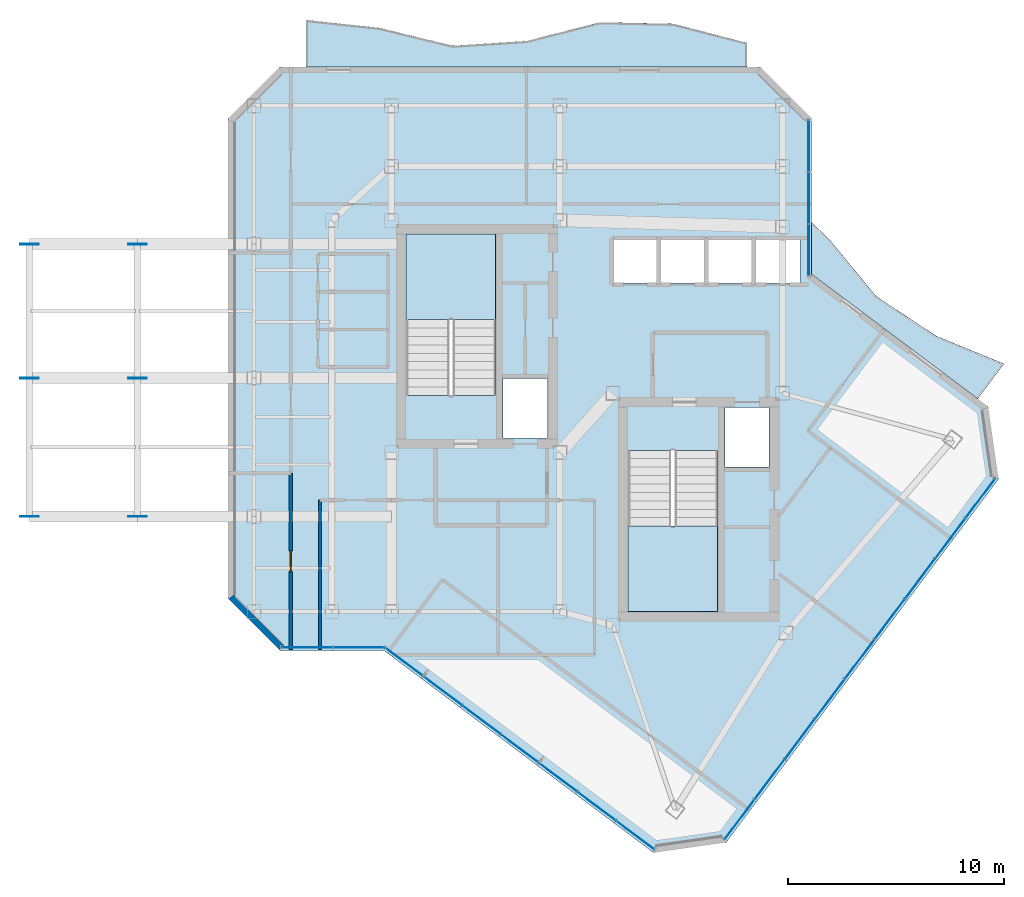
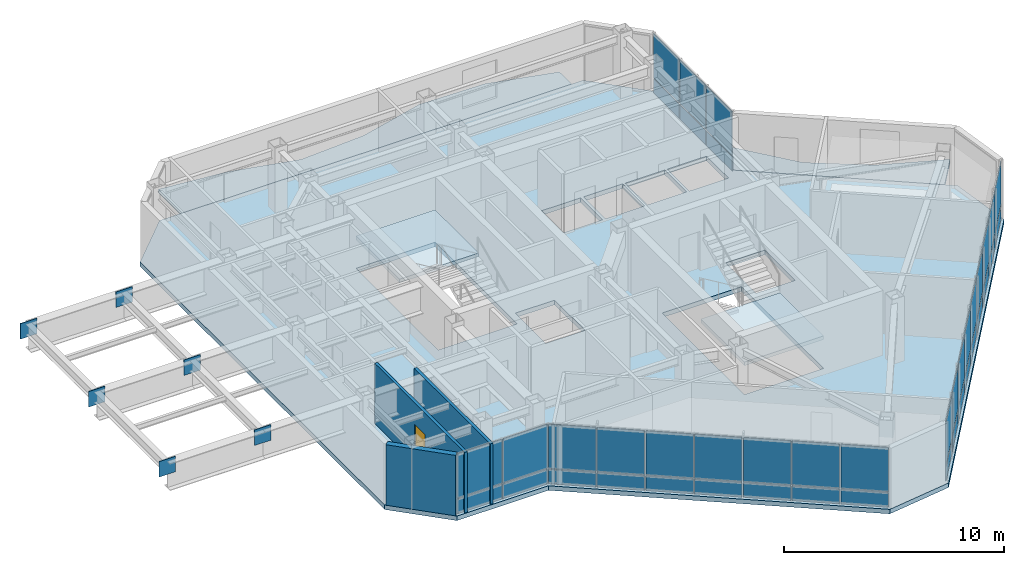
# One storey, part 11 of 17: 48 plates, 5 slabs, 3 walls, 1 door, 1 opening, 6 elements without a shape of their own.
"""IFC4 building model written with IfcOpenShell, lengths in metres."""

from ifc_helpers import new_model, si_unit, direction, frame, frame_2d, origin, origin_2d, place, context, subcontext, project, spatial, polyline, rectangle, outline, extrude, material, layer, layer_set, type_object, element, fill, aggregate, save


model = new_model("IFC4")

# Units and contexts
model_context = context("Model", 3, precision=1e-05, world=origin(), true_north=direction((0.0, 1.0)))
body_context = subcontext(model_context, "Body", "Model", "MODEL_VIEW")
ifc_project = project(units=[si_unit("LENGTHUNIT", "METRE"), si_unit("AREAUNIT", "SQUARE_METRE"), si_unit("VOLUMEUNIT", "CUBIC_METRE"), si_unit("PLANEANGLEUNIT", "RADIAN"), si_unit("MASSUNIT", "GRAM", prefix="KILO")], contexts=[model_context])

# Site, building, storey
site_placement = place(None, origin())
site = spatial("IfcSite", under=ifc_project, at=site_placement, CompositionType="ELEMENT")
building_placement = place(site_placement, origin())
building = spatial("IfcBuilding", under=site, at=building_placement, Name="Hatsunagi Terrace Concourse", CompositionType="ELEMENT")
storey_placement = place(building_placement, frame((0.0, 0.0, 253.949951171875)))
storey = spatial("IfcBuildingStorey", under=building, at=storey_placement, Name="L67", CompositionType="ELEMENT", Elevation=253.949951171875)

# Curtain wall, plates
ifc_material_1 = material(Name="Anodised Aluminium Alloy 6063-T5", Category="aluminium")
ifc_layer_1 = layer(ifc_material_1, 0.199951171875)
ifc_layer_set_1 = layer_set([ifc_layer_1], Name="SkyLobbyAtrium_CW05")
curtain_wall_type = type_object("IfcCurtainWallType", Name="SkyLobbyAtrium_CW05", PredefinedType="NOTDEFINED", material=ifc_layer_set_1)
curtain_wall_1_placement = place(storey_placement, origin())
curtain_wall_1 = element("IfcCurtainWall", 1, at=curtain_wall_1_placement, inside=storey, type_object=curtain_wall_type, Name="Unitised Curtain Wall CW-05 CW-L67-03", PredefinedType="NOTDEFINED")
ifc_material_2 = material(Name="Warm Terracotta Ceramic Spandrel Panel", Category="masonry")
ifc_layer_2 = layer(ifc_material_2, 0.031982421875)
ifc_layer_set_2 = layer_set([ifc_layer_2], Name="CurtainWallSpandrelPanel_32")
plate_type_1 = type_object("IfcPlateType", Name="CurtainWallSpandrelPanel_32", PredefinedType="SHEET", material=ifc_layer_set_2)
plate_1_placement = place(storey_placement, frame((52.797119140625, 30.429931640625, 0.030029296875), z_axis=(0.0, 0.0, 1.0), x_axis=(-0.599969314634, -0.800023013105, 0.0)))
plate_1 = element("IfcPlate", 2, at=plate_1_placement, type_object=plate_type_1, Name="Terracotta Spandrel Panel SPN-01", PredefinedType="SHEET", context=body_context, shape_type="SweptSolid", body=[
    extrude(rectangle(XDim=2.264892578125, YDim=0.031982421875, at=origin_2d()), origin(), (0.0, 0.0, 1.0), 0.7900390625),
])
plate_2_placement = place(storey_placement, frame((51.405029296875, 28.572998046875, 0.030029296875), z_axis=(0.0, 0.0, 1.0), x_axis=(-0.599969314634, -0.800023013105, 0.0)))
plate_2 = element("IfcPlate", 3, at=plate_2_placement, type_object=plate_type_1, Name="Terracotta Spandrel Panel SPN-01", PredefinedType="SHEET", context=body_context, shape_type="SweptSolid", body=[
    extrude(rectangle(XDim=2.264892578125, YDim=0.031982421875, at=origin_2d()), origin(), (0.0, 0.0, 1.0), 0.7900390625),
])
plate_3_placement = place(storey_placement, frame((50.011962890625, 26.717041015625, 0.030029296875), z_axis=(0.0, 0.0, 1.0), x_axis=(-0.599969314634, -0.800023013105, 0.0)))
plate_3 = element("IfcPlate", 4, at=plate_3_placement, type_object=plate_type_1, Name="Terracotta Spandrel Panel SPN-01", PredefinedType="SHEET", context=body_context, shape_type="SweptSolid", body=[
    extrude(rectangle(XDim=2.264892578125, YDim=0.031982421875, at=origin_2d()), origin(), (0.0, 0.0, 1.0), 0.7900390625),
])
plate_4_placement = place(storey_placement, frame((48.6201171875, 24.860107421875, 0.030029296875), z_axis=(0.0, 0.0, 1.0), x_axis=(-0.599969314634, -0.800023013105, 0.0)))
plate_4 = element("IfcPlate", 5, at=plate_4_placement, type_object=plate_type_1, Name="Terracotta Spandrel Panel SPN-01", PredefinedType="SHEET", context=body_context, shape_type="SweptSolid", body=[
    extrude(rectangle(XDim=2.264892578125, YDim=0.031982421875, at=origin_2d()), origin(), (0.0, 0.0, 1.0), 0.7900390625),
])
plate_5_placement = place(storey_placement, frame((47.22802734375, 23.00390625, 0.030029296875), z_axis=(0.0, 0.0, 1.0), x_axis=(-0.599969314634, -0.800023013105, 0.0)))
plate_5 = element("IfcPlate", 6, at=plate_5_placement, type_object=plate_type_1, Name="Terracotta Spandrel Panel SPN-01", PredefinedType="SHEET", context=body_context, shape_type="SweptSolid", body=[
    extrude(rectangle(XDim=2.264892578125, YDim=0.031982421875, at=origin_2d()), origin(), (0.0, 0.0, 1.0), 0.7900390625),
])
plate_6_placement = place(storey_placement, frame((45.8359375, 21.14794921875, 0.030029296875), z_axis=(0.0, 0.0, 1.0), x_axis=(-0.599969314634, -0.800023013105, 0.0)))
plate_6 = element("IfcPlate", 7, at=plate_6_placement, type_object=plate_type_1, Name="Terracotta Spandrel Panel SPN-01", PredefinedType="SHEET", context=body_context, shape_type="SweptSolid", body=[
    extrude(rectangle(XDim=2.264892578125, YDim=0.031982421875, at=origin_2d()), origin(), (0.0, 0.0, 1.0), 0.7900390625),
])
plate_7_placement = place(storey_placement, frame((44.444091796875, 19.291015625, 0.030029296875), z_axis=(0.0, 0.0, 1.0), x_axis=(-0.599969314634, -0.800023013105, 0.0)))
plate_7 = element("IfcPlate", 8, at=plate_7_placement, type_object=plate_type_1, Name="Terracotta Spandrel Panel SPN-01", PredefinedType="SHEET", context=body_context, shape_type="SweptSolid", body=[
    extrude(rectangle(XDim=2.264892578125, YDim=0.031982421875, at=origin_2d()), origin(), (0.0, 0.0, 1.0), 0.7900390625),
])
plate_8_placement = place(storey_placement, frame((43.051025390625, 17.43505859375, 0.030029296875), z_axis=(0.0, 0.0, 1.0), x_axis=(-0.599969314634, -0.800023013105, 0.0)))
plate_8 = element("IfcPlate", 9, at=plate_8_placement, type_object=plate_type_1, Name="Terracotta Spandrel Panel SPN-01", PredefinedType="SHEET", context=body_context, shape_type="SweptSolid", body=[
    extrude(rectangle(XDim=2.264892578125, YDim=0.031982421875, at=origin_2d()), origin(), (0.0, 0.0, 1.0), 0.7900390625),
])
plate_9_placement = place(storey_placement, frame((41.658935546875, 15.577880859375, 0.030029296875), z_axis=(0.0, 0.0, 1.0), x_axis=(-0.599969314634, -0.800023013105, 0.0)))
plate_9 = element("IfcPlate", 10, at=plate_9_placement, type_object=plate_type_1, Name="Terracotta Spandrel Panel SPN-01", PredefinedType="SHEET", context=body_context, shape_type="SweptSolid", body=[
    extrude(rectangle(XDim=2.264892578125, YDim=0.031982421875, at=origin_2d()), origin(), (0.0, 0.0, 1.0), 0.7900390625),
])

curtain_wall_2_placement = place(storey_placement, origin())
curtain_wall_2 = element("IfcCurtainWall", 11, at=curtain_wall_2_placement, inside=storey, type_object=curtain_wall_type, Name="Unitised Curtain Wall CW-05 CW-L67-05", PredefinedType="NOTDEFINED")
plate_10_placement = place(storey_placement, frame((36.826904296875, 14.85498046875, 0.030029296875), z_axis=(0.0, 0.0, 1.0), x_axis=(-0.800007305671, 0.599990258982, 0.0)))
plate_10 = element("IfcPlate", 12, at=plate_10_placement, type_object=plate_type_1, Name="Terracotta Spandrel Panel SPN-01", PredefinedType="SHEET", context=body_context, shape_type="SweptSolid", body=[
    extrude(rectangle(XDim=2.172119140625, YDim=0.031982421875, at=origin_2d()), origin(), (0.0, 0.0, 1.0), 0.7900390625),
])
plate_11_placement = place(storey_placement, frame((35.0458984375, 16.19091796875, 0.030029296875), z_axis=(0.0, 0.0, 1.0), x_axis=(-0.800007305671, 0.599990258982, 0.0)))
plate_11 = element("IfcPlate", 13, at=plate_11_placement, type_object=plate_type_1, Name="Terracotta Spandrel Panel SPN-01", PredefinedType="SHEET", context=body_context, shape_type="SweptSolid", body=[
    extrude(rectangle(XDim=2.172119140625, YDim=0.031982421875, at=origin_2d()), origin(), (0.0, 0.0, 1.0), 0.7900390625),
])
plate_12_placement = place(storey_placement, frame((33.263916015625, 17.527099609375, 0.030029296875), z_axis=(0.0, 0.0, 1.0), x_axis=(-0.800007305671, 0.599990258982, 0.0)))
plate_12 = element("IfcPlate", 14, at=plate_12_placement, type_object=plate_type_1, Name="Terracotta Spandrel Panel SPN-01", PredefinedType="SHEET", context=body_context, shape_type="SweptSolid", body=[
    extrude(rectangle(XDim=2.172119140625, YDim=0.031982421875, at=origin_2d()), origin(), (0.0, 0.0, 1.0), 0.7900390625),
])
plate_13_placement = place(storey_placement, frame((31.48291015625, 18.863037109375, 0.030029296875), z_axis=(0.0, 0.0, 1.0), x_axis=(-0.800007305671, 0.599990258982, 0.0)))
plate_13 = element("IfcPlate", 15, at=plate_13_placement, type_object=plate_type_1, Name="Terracotta Spandrel Panel SPN-01", PredefinedType="SHEET", context=body_context, shape_type="SweptSolid", body=[
    extrude(rectangle(XDim=2.172119140625, YDim=0.031982421875, at=origin_2d()), origin(), (0.0, 0.0, 1.0), 0.7900390625),
])
plate_14_placement = place(storey_placement, frame((29.700927734375, 20.199951171875, 0.030029296875), z_axis=(0.0, 0.0, 1.0), x_axis=(-0.800007305671, 0.599990258982, 0.0)))
plate_14 = element("IfcPlate", 16, at=plate_14_placement, type_object=plate_type_1, Name="Terracotta Spandrel Panel SPN-01", PredefinedType="SHEET", context=body_context, shape_type="SweptSolid", body=[
    extrude(rectangle(XDim=2.172119140625, YDim=0.031982421875, at=origin_2d()), origin(), (0.0, 0.0, 1.0), 0.7900390625),
])
plate_15_placement = place(storey_placement, frame((27.9189453125, 21.535888671875, 0.030029296875), z_axis=(0.0, 0.0, 1.0), x_axis=(-0.800007305671, 0.599990258982, 0.0)))
plate_15 = element("IfcPlate", 17, at=plate_15_placement, type_object=plate_type_1, Name="Terracotta Spandrel Panel SPN-01", PredefinedType="SHEET", context=body_context, shape_type="SweptSolid", body=[
    extrude(rectangle(XDim=2.172119140625, YDim=0.031982421875, at=origin_2d()), origin(), (0.0, 0.0, 1.0), 0.7900390625),
])
plate_16_placement = place(storey_placement, frame((26.137939453125, 22.8720703125, 0.030029296875), z_axis=(0.0, 0.0, 1.0), x_axis=(-0.800007305671, 0.599990258982, 0.0)))
plate_16 = element("IfcPlate", 18, at=plate_16_placement, type_object=plate_type_1, Name="Terracotta Spandrel Panel SPN-01", PredefinedType="SHEET", context=body_context, shape_type="SweptSolid", body=[
    extrude(rectangle(XDim=2.172119140625, YDim=0.031982421875, at=origin_2d()), origin(), (0.0, 0.0, 1.0), 0.7900390625),
])

curtain_wall_3_placement = place(storey_placement, origin())
curtain_wall_3 = element("IfcCurtainWall", 19, at=curtain_wall_3_placement, inside=storey, type_object=curtain_wall_type, Name="Unitised Curtain Wall CW-05 CW-L67-06", PredefinedType="NOTDEFINED")
plate_17_placement = place(storey_placement, frame((24.050048828125, 23.5400390625, 0.030029296875), z_axis=(0.0, 0.0, 1.0), x_axis=(-1.0, 0.0, 0.0)))
plate_17 = element("IfcPlate", 20, at=plate_17_placement, type_object=plate_type_1, Name="Terracotta Spandrel Panel SPN-01", PredefinedType="SHEET", context=body_context, shape_type="SweptSolid", body=[
    extrude(rectangle(XDim=2.340087890625, YDim=0.031982421875, at=origin_2d()), origin(), (0.0, 0.0, 1.0), 0.7900390625),
])
plate_18_placement = place(storey_placement, frame((21.655029296875, 23.5400390625, 0.030029296875), z_axis=(0.0, 0.0, 1.0), x_axis=(-1.0, 0.0, 0.0)))
plate_18 = element("IfcPlate", 21, at=plate_18_placement, type_object=plate_type_1, Name="Terracotta Spandrel Panel SPN-01", PredefinedType="SHEET", context=body_context, shape_type="SweptSolid", body=[
    extrude(rectangle(XDim=2.340087890625, YDim=0.031982421875, at=origin_2d()), origin(), (0.0, 0.0, 1.0), 0.7900390625),
])

curtain_wall_4_placement = place(storey_placement, origin())
curtain_wall_4 = element("IfcCurtainWall", 22, at=curtain_wall_4_placement, inside=storey, type_object=curtain_wall_type, Name="Unitised Curtain Wall CW-05 CW-L67-12", PredefinedType="NOTDEFINED")
plate_19_placement = place(storey_placement, frame((44.860107421875, 46.739990234375, 0.030029296875), z_axis=(0.0, 0.0, 1.0), x_axis=(0.0, -1.0, 0.0)))
plate_19 = element("IfcPlate", 23, at=plate_19_placement, type_object=plate_type_1, Name="Terracotta Spandrel Panel SPN-01", PredefinedType="SHEET", context=body_context, shape_type="SweptSolid", body=[
    extrude(rectangle(XDim=2.34912109375, YDim=0.031982421875, at=origin_2d()), origin(), (0.0, 0.0, 1.0), 0.7900390625),
])
plate_20_placement = place(storey_placement, frame((44.860107421875, 44.3359375, 0.030029296875), z_axis=(0.0, 0.0, 1.0), x_axis=(0.0, -1.0, 0.0)))
plate_20 = element("IfcPlate", 24, at=plate_20_placement, type_object=plate_type_1, Name="Terracotta Spandrel Panel SPN-01", PredefinedType="SHEET", context=body_context, shape_type="SweptSolid", body=[
    extrude(rectangle(XDim=2.34912109375, YDim=0.031982421875, at=origin_2d()), origin(), (0.0, 0.0, 1.0), 0.7900390625),
])
plate_21_placement = place(storey_placement, frame((44.860107421875, 41.931884765625, 0.030029296875), z_axis=(0.0, 0.0, 1.0), x_axis=(0.0, -1.0, 0.0)))
plate_21 = element("IfcPlate", 25, at=plate_21_placement, type_object=plate_type_1, Name="Terracotta Spandrel Panel SPN-01", PredefinedType="SHEET", context=body_context, shape_type="SweptSolid", body=[
    extrude(rectangle(XDim=2.34912109375, YDim=0.031982421875, at=origin_2d()), origin(), (0.0, 0.0, 1.0), 0.7900390625),
])

# Plate
ifc_material_3 = material(Name="Low-E Double Insulating Glass 28mm", Category="glass")
ifc_layer_3 = layer(ifc_material_3, 0.028076171875)
ifc_layer_set_3 = layer_set([ifc_layer_3], Name="CurtainWallVisionGlass_28")
plate_type_2 = type_object("IfcPlateType", Name="CurtainWallVisionGlass_28", PredefinedType="CURTAIN_PANEL", material=ifc_layer_set_3)
plate_22_placement = place(storey_placement, frame((52.797119140625, 30.429931640625, 0.880126953125), z_axis=(0.0, 0.0, 1.0), x_axis=(-0.599969314634, -0.800023013105, 0.0)))
plate_22 = element("IfcPlate", 26, at=plate_22_placement, type_object=plate_type_2, Name="Low-E Vision Glass Panel GLZ-01", PredefinedType="CURTAIN_PANEL", context=body_context, shape_type="SweptSolid", body=[
    extrude(rectangle(XDim=2.264892578125, YDim=0.028076171875, at=origin_2d()), origin(), (0.0, 0.0, 1.0), 2.43994140625),
])

plate_23_placement = place(storey_placement, frame((51.405029296875, 28.572998046875, 0.880126953125), z_axis=(0.0, 0.0, 1.0), x_axis=(-0.599969314634, -0.800023013105, 0.0)))
plate_23 = element("IfcPlate", 27, at=plate_23_placement, type_object=plate_type_2, Name="Low-E Vision Glass Panel GLZ-01", PredefinedType="CURTAIN_PANEL", context=body_context, shape_type="SweptSolid", body=[
    extrude(rectangle(XDim=2.264892578125, YDim=0.028076171875, at=origin_2d()), origin(), (0.0, 0.0, 1.0), 2.43994140625),
])

plate_24_placement = place(storey_placement, frame((50.011962890625, 26.717041015625, 0.880126953125), z_axis=(0.0, 0.0, 1.0), x_axis=(-0.599969314634, -0.800023013105, 0.0)))
plate_24 = element("IfcPlate", 28, at=plate_24_placement, type_object=plate_type_2, Name="Low-E Vision Glass Panel GLZ-01", PredefinedType="CURTAIN_PANEL", context=body_context, shape_type="SweptSolid", body=[
    extrude(rectangle(XDim=2.264892578125, YDim=0.028076171875, at=origin_2d()), origin(), (0.0, 0.0, 1.0), 2.43994140625),
])

plate_25_placement = place(storey_placement, frame((48.6201171875, 24.860107421875, 0.880126953125), z_axis=(0.0, 0.0, 1.0), x_axis=(-0.599969314634, -0.800023013105, 0.0)))
plate_25 = element("IfcPlate", 29, at=plate_25_placement, type_object=plate_type_2, Name="Low-E Vision Glass Panel GLZ-01", PredefinedType="CURTAIN_PANEL", context=body_context, shape_type="SweptSolid", body=[
    extrude(rectangle(XDim=2.264892578125, YDim=0.028076171875, at=origin_2d()), origin(), (0.0, 0.0, 1.0), 2.43994140625),
])

plate_26_placement = place(storey_placement, frame((47.22802734375, 23.00390625, 0.880126953125), z_axis=(0.0, 0.0, 1.0), x_axis=(-0.599969314634, -0.800023013105, 0.0)))
plate_26 = element("IfcPlate", 30, at=plate_26_placement, type_object=plate_type_2, Name="Low-E Vision Glass Panel GLZ-01", PredefinedType="CURTAIN_PANEL", context=body_context, shape_type="SweptSolid", body=[
    extrude(rectangle(XDim=2.264892578125, YDim=0.028076171875, at=origin_2d()), origin(), (0.0, 0.0, 1.0), 2.43994140625),
])

plate_27_placement = place(storey_placement, frame((45.8359375, 21.14794921875, 0.880126953125), z_axis=(0.0, 0.0, 1.0), x_axis=(-0.599969314634, -0.800023013105, 0.0)))
plate_27 = element("IfcPlate", 31, at=plate_27_placement, type_object=plate_type_2, Name="Low-E Vision Glass Panel GLZ-01", PredefinedType="CURTAIN_PANEL", context=body_context, shape_type="SweptSolid", body=[
    extrude(rectangle(XDim=2.264892578125, YDim=0.028076171875, at=origin_2d()), origin(), (0.0, 0.0, 1.0), 2.43994140625),
])

plate_28_placement = place(storey_placement, frame((44.444091796875, 19.291015625, 0.880126953125), z_axis=(0.0, 0.0, 1.0), x_axis=(-0.599969314634, -0.800023013105, 0.0)))
plate_28 = element("IfcPlate", 32, at=plate_28_placement, type_object=plate_type_2, Name="Low-E Vision Glass Panel GLZ-01", PredefinedType="CURTAIN_PANEL", context=body_context, shape_type="SweptSolid", body=[
    extrude(rectangle(XDim=2.264892578125, YDim=0.028076171875, at=origin_2d()), origin(), (0.0, 0.0, 1.0), 2.43994140625),
])

plate_29_placement = place(storey_placement, frame((43.051025390625, 17.43505859375, 0.880126953125), z_axis=(0.0, 0.0, 1.0), x_axis=(-0.599969314634, -0.800023013105, 0.0)))
plate_29 = element("IfcPlate", 33, at=plate_29_placement, type_object=plate_type_2, Name="Low-E Vision Glass Panel GLZ-01", PredefinedType="CURTAIN_PANEL", context=body_context, shape_type="SweptSolid", body=[
    extrude(rectangle(XDim=2.264892578125, YDim=0.028076171875, at=origin_2d()), origin(), (0.0, 0.0, 1.0), 2.43994140625),
])

plate_30_placement = place(storey_placement, frame((41.658935546875, 15.577880859375, 0.880126953125), z_axis=(0.0, 0.0, 1.0), x_axis=(-0.599969314634, -0.800023013105, 0.0)))
plate_30 = element("IfcPlate", 34, at=plate_30_placement, type_object=plate_type_2, Name="Low-E Vision Glass Panel GLZ-01", PredefinedType="CURTAIN_PANEL", context=body_context, shape_type="SweptSolid", body=[
    extrude(rectangle(XDim=2.264892578125, YDim=0.028076171875, at=origin_2d()), origin(), (0.0, 0.0, 1.0), 2.43994140625),
])

aggregate(curtain_wall_1, [plate_1, plate_22, plate_2, plate_23, plate_3, plate_24, plate_4, plate_25, plate_5, plate_26, plate_6, plate_27, plate_7, plate_28, plate_8, plate_29, plate_9, plate_30])

plate_31_placement = place(storey_placement, frame((36.826904296875, 14.85498046875, 0.880126953125), z_axis=(0.0, 0.0, 1.0), x_axis=(-0.800007305671, 0.599990258982, 0.0)))
plate_31 = element("IfcPlate", 35, at=plate_31_placement, type_object=plate_type_2, Name="Low-E Vision Glass Panel GLZ-01", PredefinedType="CURTAIN_PANEL", context=body_context, shape_type="SweptSolid", body=[
    extrude(rectangle(XDim=2.172119140625, YDim=0.028076171875, at=origin_2d()), origin(), (0.0, 0.0, 1.0), 2.43994140625),
])

plate_32_placement = place(storey_placement, frame((35.0458984375, 16.19091796875, 0.880126953125), z_axis=(0.0, 0.0, 1.0), x_axis=(-0.800007305671, 0.599990258982, 0.0)))
plate_32 = element("IfcPlate", 36, at=plate_32_placement, type_object=plate_type_2, Name="Low-E Vision Glass Panel GLZ-01", PredefinedType="CURTAIN_PANEL", context=body_context, shape_type="SweptSolid", body=[
    extrude(rectangle(XDim=2.172119140625, YDim=0.028076171875, at=origin_2d()), origin(), (0.0, 0.0, 1.0), 2.43994140625),
])

plate_33_placement = place(storey_placement, frame((33.263916015625, 17.527099609375, 0.880126953125), z_axis=(0.0, 0.0, 1.0), x_axis=(-0.800007305671, 0.599990258982, 0.0)))
plate_33 = element("IfcPlate", 37, at=plate_33_placement, type_object=plate_type_2, Name="Low-E Vision Glass Panel GLZ-01", PredefinedType="CURTAIN_PANEL", context=body_context, shape_type="SweptSolid", body=[
    extrude(rectangle(XDim=2.172119140625, YDim=0.028076171875, at=origin_2d()), origin(), (0.0, 0.0, 1.0), 2.43994140625),
])

plate_34_placement = place(storey_placement, frame((31.48291015625, 18.863037109375, 0.880126953125), z_axis=(0.0, 0.0, 1.0), x_axis=(-0.800007305671, 0.599990258982, 0.0)))
plate_34 = element("IfcPlate", 38, at=plate_34_placement, type_object=plate_type_2, Name="Low-E Vision Glass Panel GLZ-01", PredefinedType="CURTAIN_PANEL", context=body_context, shape_type="SweptSolid", body=[
    extrude(rectangle(XDim=2.172119140625, YDim=0.028076171875, at=origin_2d()), origin(), (0.0, 0.0, 1.0), 2.43994140625),
])

plate_35_placement = place(storey_placement, frame((29.700927734375, 20.199951171875, 0.880126953125), z_axis=(0.0, 0.0, 1.0), x_axis=(-0.800007305671, 0.599990258982, 0.0)))
plate_35 = element("IfcPlate", 39, at=plate_35_placement, type_object=plate_type_2, Name="Low-E Vision Glass Panel GLZ-01", PredefinedType="CURTAIN_PANEL", context=body_context, shape_type="SweptSolid", body=[
    extrude(rectangle(XDim=2.172119140625, YDim=0.028076171875, at=origin_2d()), origin(), (0.0, 0.0, 1.0), 2.43994140625),
])

plate_36_placement = place(storey_placement, frame((27.9189453125, 21.535888671875, 0.880126953125), z_axis=(0.0, 0.0, 1.0), x_axis=(-0.800007305671, 0.599990258982, 0.0)))
plate_36 = element("IfcPlate", 40, at=plate_36_placement, type_object=plate_type_2, Name="Low-E Vision Glass Panel GLZ-01", PredefinedType="CURTAIN_PANEL", context=body_context, shape_type="SweptSolid", body=[
    extrude(rectangle(XDim=2.172119140625, YDim=0.028076171875, at=origin_2d()), origin(), (0.0, 0.0, 1.0), 2.43994140625),
])

plate_37_placement = place(storey_placement, frame((26.137939453125, 22.8720703125, 0.880126953125), z_axis=(0.0, 0.0, 1.0), x_axis=(-0.800007305671, 0.599990258982, 0.0)))
plate_37 = element("IfcPlate", 41, at=plate_37_placement, type_object=plate_type_2, Name="Low-E Vision Glass Panel GLZ-01", PredefinedType="CURTAIN_PANEL", context=body_context, shape_type="SweptSolid", body=[
    extrude(rectangle(XDim=2.172119140625, YDim=0.028076171875, at=origin_2d()), origin(), (0.0, 0.0, 1.0), 2.43994140625),
])

aggregate(curtain_wall_2, [plate_10, plate_31, plate_11, plate_32, plate_12, plate_33, plate_13, plate_34, plate_14, plate_35, plate_15, plate_36, plate_16, plate_37])

plate_38_placement = place(storey_placement, frame((24.050048828125, 23.5400390625, 0.880126953125), z_axis=(0.0, 0.0, 1.0), x_axis=(-1.0, 0.0, 0.0)))
plate_38 = element("IfcPlate", 42, at=plate_38_placement, type_object=plate_type_2, Name="Low-E Vision Glass Panel GLZ-01", PredefinedType="CURTAIN_PANEL", context=body_context, shape_type="SweptSolid", body=[
    extrude(rectangle(XDim=2.340087890625, YDim=0.028076171875, at=origin_2d()), origin(), (0.0, 0.0, 1.0), 2.43994140625),
])

plate_39_placement = place(storey_placement, frame((21.655029296875, 23.5400390625, 0.880126953125), z_axis=(0.0, 0.0, 1.0), x_axis=(-1.0, 0.0, 0.0)))
plate_39 = element("IfcPlate", 43, at=plate_39_placement, type_object=plate_type_2, Name="Low-E Vision Glass Panel GLZ-01", PredefinedType="CURTAIN_PANEL", context=body_context, shape_type="SweptSolid", body=[
    extrude(rectangle(XDim=2.340087890625, YDim=0.028076171875, at=origin_2d()), origin(), (0.0, 0.0, 1.0), 2.43994140625),
])

aggregate(curtain_wall_3, [plate_17, plate_38, plate_18, plate_39])

plate_40_placement = place(storey_placement, frame((44.860107421875, 46.739990234375, 0.880126953125), z_axis=(0.0, 0.0, 1.0), x_axis=(0.0, -1.0, 0.0)))
plate_40 = element("IfcPlate", 44, at=plate_40_placement, type_object=plate_type_2, Name="Low-E Vision Glass Panel GLZ-01", PredefinedType="CURTAIN_PANEL", context=body_context, shape_type="SweptSolid", body=[
    extrude(rectangle(XDim=2.34912109375, YDim=0.028076171875, at=origin_2d()), origin(), (0.0, 0.0, 1.0), 2.43994140625),
])

plate_41_placement = place(storey_placement, frame((44.860107421875, 44.3359375, 0.880126953125), z_axis=(0.0, 0.0, 1.0), x_axis=(0.0, -1.0, 0.0)))
plate_41 = element("IfcPlate", 45, at=plate_41_placement, type_object=plate_type_2, Name="Low-E Vision Glass Panel GLZ-01", PredefinedType="CURTAIN_PANEL", context=body_context, shape_type="SweptSolid", body=[
    extrude(rectangle(XDim=2.34912109375, YDim=0.028076171875, at=origin_2d()), origin(), (0.0, 0.0, 1.0), 2.43994140625),
])

plate_42_placement = place(storey_placement, frame((44.860107421875, 41.931884765625, 0.880126953125), z_axis=(0.0, 0.0, 1.0), x_axis=(0.0, -1.0, 0.0)))
plate_42 = element("IfcPlate", 46, at=plate_42_placement, type_object=plate_type_2, Name="Low-E Vision Glass Panel GLZ-01", PredefinedType="CURTAIN_PANEL", context=body_context, shape_type="SweptSolid", body=[
    extrude(rectangle(XDim=2.34912109375, YDim=0.028076171875, at=origin_2d()), origin(), (0.0, 0.0, 1.0), 2.43994140625),
])

aggregate(curtain_wall_4, [plate_19, plate_40, plate_20, plate_41, plate_21, plate_42])

# Stair, slab
ifc_material_4 = material(Name="Concrete Fc42", Category="concrete")
stair_type = type_object("IfcStairType", Name="DoglegExitStair_Tower2000_20R_180", PredefinedType="HALF_TURN_STAIR", material=ifc_material_4)
stair_1_placement = place(storey_placement, origin())
stair_1 = element("IfcStair", 47, at=stair_1_placement, inside=storey, type_object=stair_type, Name="L67 Core A Protected Exit Stair ST-A", PredefinedType="HALF_TURN_STAIR")
ifc_material_5 = material(Name="Concrete Fc42", Category="concrete")
ifc_layer_4 = layer(ifc_material_5, 0.199951171875)
ifc_layer_set_4 = layer_set([ifc_layer_4], Name="DoglegStairLanding_Tower2000")
slab_type_1 = type_object("IfcSlabType", Name="DoglegStairLanding_Tower2000", PredefinedType="LANDING", material=ifc_layer_set_4)
slab_1_placement = place(storey_placement, frame((0.0, 0.0, 1.60009765625)))
slab_1 = element("IfcSlab", 48, at=slab_1_placement, type_object=slab_type_1, Name="ST-A landing 1", PredefinedType="LANDING", context=body_context, shape_type="SweptSolid", body=[
    extrude(outline(polyline([(30.3798828125, 38.7099609375), (30.3798828125, 42.659912109375), (26.22998046875, 42.659912109375), (26.22998046875, 38.7099609375), (30.3798828125, 38.7099609375)])), origin(), (0.0, 0.0, 1.0), 0.199951171875),
])
aggregate(stair_1, [slab_1])

stair_2_placement = place(storey_placement, origin())
stair_2 = element("IfcStair", 49, at=stair_2_placement, inside=storey, type_object=stair_type, Name="L67 Core B Protected Exit Stair ST-B", PredefinedType="HALF_TURN_STAIR")
slab_2_placement = place(storey_placement, frame((0.0, 0.0, 1.60009765625)))
slab_2 = element("IfcSlab", 50, at=slab_2_placement, type_object=slab_type_1, Name="ST-B landing 1", PredefinedType="LANDING", context=body_context, shape_type="SweptSolid", body=[
    extrude(outline(polyline([(36.5, 29.14990234375), (36.5, 25.199951171875), (40.64990234375, 25.199951171875), (40.64990234375, 29.14990234375), (36.5, 29.14990234375)])), origin(), (0.0, 0.0, 1.0), 0.199951171875),
])
aggregate(stair_2, [slab_2])

# Slabs
ifc_material_6 = material(Name="Concrete Fc42", Category="concrete")
ifc_layer_5 = layer(ifc_material_6, 0.199951171875)
ifc_layer_set_5 = layer_set([ifc_layer_5], Name="EngawaBalconySlab_Fc42_200")
slab_type_2 = type_object("IfcSlabType", Name="EngawaBalconySlab_Fc42_200", PredefinedType="FLOOR", material=ifc_layer_set_5)
slab_3_placement = place(storey_placement, frame((0.0, 0.0, -0.199951171875)))
element("IfcSlab", 51, at=slab_3_placement, inside=storey, type_object=slab_type_2, Name="Engawa Balcony Slab BAL-L67-BN", PredefinedType="FLOOR", context=body_context, shape_type="SweptSolid", body=[
    extrude(outline(polyline([(21.60009765625, 52.568115234375), (21.60009765625, 50.39990234375), (42.0, 50.39990234375), (42.0, 51.514892578125), (38.60009765625, 52.39306640625), (35.199951171875, 52.4619140625), (31.800048828125, 51.595947265625), (28.39990234375, 51.3759765625), (25.0, 52.2041015625), (21.60009765625, 52.568115234375)])), origin(), (0.0, 0.0, 1.0), 0.199951171875),
])
slab_4_placement = place(storey_placement, frame((0.0, 0.0, -0.199951171875)))
element("IfcSlab", 52, at=slab_4_placement, inside=storey, type_object=slab_type_2, Name="Engawa Balcony Slab BAL-L67-BSE", PredefinedType="FLOOR", context=body_context, shape_type="SweptSolid", body=[
    extrude(outline(polyline([(45.826904296875, 42.402099609375), (44.99609375, 43.200927734375), (44.99609375, 40.802978515625), (52.679931640625, 35.0400390625), (53.89501953125, 36.659912109375), (50.743896484375, 37.9580078125), (47.986083984375, 39.781005859375), (45.826904296875, 42.402099609375)])), origin(), (0.0, 0.0, 1.0), 0.199951171875),
])
ifc_material_7 = material(Name="Concrete Fc42", Category="concrete")
ifc_layer_6 = layer(ifc_material_7, 0.25)
ifc_layer_set_6 = layer_set([ifc_layer_6], Name="OfficeCrownSlab_Fc42_250")
slab_type_3 = type_object("IfcSlabType", Name="OfficeCrownSlab_Fc42_250", PredefinedType="FLOOR", material=ifc_layer_set_6)
slab_5_placement = place(storey_placement, frame((0.0, 0.0, -0.25)))
element("IfcSlab", 53, at=slab_5_placement, inside=storey, type_object=slab_type_3, Name="Floor Slab SL-250 L67", PredefinedType="FLOOR", context=body_context, shape_type="SweptSolid", body=[
    extrude(outline(polyline([(45.0, 40.800048828125), (45.0, 48.0), (42.60009765625, 50.39990234375), (20.39990234375, 50.39990234375), (18.0, 48.0), (18.0, 25.800048828125), (20.39990234375, 23.39990234375), (25.199951171875, 23.39990234375), (37.679931640625, 14.0400390625), (41.0400390625, 14.52001953125), (53.639892578125, 31.320068359375), (53.159912109375, 34.679931640625), (45.0, 40.800048828125)]), holes=[polyline([(26.22998046875, 35.205078125), (30.3798828125, 35.205078125), (30.3798828125, 42.659912109375), (26.22998046875, 42.659912109375), (26.22998046875, 35.205078125)]), polyline([(36.5, 25.199951171875), (40.64990234375, 25.199951171875), (40.64990234375, 32.655029296875), (36.5, 32.655029296875), (36.5, 25.199951171875)]), polyline([(30.719970703125, 33.219970703125), (32.780029296875, 33.219970703125), (32.780029296875, 35.97998046875), (30.719970703125, 35.97998046875), (30.719970703125, 33.219970703125)]), polyline([(40.97998046875, 31.8798828125), (43.02001953125, 31.8798828125), (43.02001953125, 34.639892578125), (40.97998046875, 34.639892578125), (40.97998046875, 31.8798828125)]), polyline([(35.800048828125, 40.39990234375), (37.85009765625, 40.39990234375), (37.85009765625, 42.39990234375), (35.800048828125, 42.39990234375), (35.800048828125, 40.39990234375)]), polyline([(38.0, 40.39990234375), (40.050048828125, 40.39990234375), (40.050048828125, 42.39990234375), (38.0, 42.39990234375), (38.0, 40.39990234375)]), polyline([(40.199951171875, 40.39990234375), (42.25, 40.39990234375), (42.25, 42.39990234375), (40.199951171875, 42.39990234375), (40.199951171875, 40.39990234375)]), polyline([(42.39990234375, 40.39990234375), (44.449951171875, 40.39990234375), (44.449951171875, 42.39990234375), (42.39990234375, 42.39990234375), (42.39990234375, 40.39990234375)])]), origin(), (0.0, 0.0, 1.0), 0.25),
])

# Plates
ifc_material_8 = material(Name="Steel SN490C", Category="steel")
ifc_layer_7 = layer(ifc_material_8, 0.0380859375)
ifc_layer_set_7 = layer_set([ifc_layer_7], Name="SkyLoungeRakerGussetPlate_38")
plate_type_3 = type_object("IfcPlateType", Name="SkyLoungeRakerGussetPlate_38", PredefinedType="USERDEFINED", material=ifc_layer_set_7)
for number, where, z_axis, x_axis, name in (
    (54, (13.800048828125, 29.60009765625, 2.6201171875), (0.0, 0.0, 1.0), (1.0, 0.0, 0.0), "Sky Lounge Mid Raker Tip Gusset GP-04 #1"),
    (55, (8.800048828125, 29.60009765625, 2.6201171875), (0.0, 0.0, 1.0), (1.0, 0.0, 0.0), "Sky Lounge Raker Tip Gusset GP-04 #1"),
    (56, (13.800048828125, 36.0, 2.6201171875), (0.0, 0.0, 1.0), (1.0, 0.0, 0.0), "Sky Lounge Mid Raker Tip Gusset GP-04 #2"),
    (57, (8.800048828125, 36.0, 2.6201171875), (0.0, 0.0, 1.0), (1.0, 0.0, 0.0), "Sky Lounge Raker Tip Gusset GP-04 #2"),
    (58, (13.800048828125, 42.199951171875, 2.6201171875), (0.0, 0.0, 1.0), (1.0, 0.0, 0.0), "Sky Lounge Mid Raker Tip Gusset GP-04 #3"),
    (59, (8.800048828125, 42.199951171875, 2.6201171875), (0.0, 0.0, 1.0), (1.0, 0.0, 0.0), "Sky Lounge Raker Tip Gusset GP-04 #3"),
):
    element("IfcPlate", number, at=place(storey_placement, frame(where, z_axis=z_axis, x_axis=x_axis)), inside=storey, type_object=plate_type_3, Name=name, ObjectType="GUSSET_PLATE", PredefinedType="USERDEFINED", context=body_context, shape_type="SweptSolid", body=[
        extrude(rectangle(XDim=0.860107421875, YDim=0.0380859375, at=origin_2d()), origin(), (0.0, 0.0, 1.0), 0.860107421875),
    ])

# Wall, opening, door
ifc_material_9 = material(Name="Acoustic mineral board", Category="gypsum")
ifc_layer_8 = layer(ifc_material_9, 0.14990234375)
ifc_layer_set_8 = layer_set([ifc_layer_8], Name="PartitionWall_EI60_150")
wall_type_1 = type_object("IfcWallType", Name="PartitionWall_EI60_150", PredefinedType="PARTITIONING", material=ifc_layer_set_8)
wall_1_placement = place(storey_placement, frame((20.89990234375, 23.43994140625, 0.0), z_axis=(0.0, 0.0, 1.0), x_axis=(0.0, 1.0, 0.0)))
wall_1 = element("IfcWall", 60, at=wall_1_placement, inside=storey, type_object=wall_type_1, Name="Interior Partition IW-L67-034", PredefinedType="PARTITIONING", context=body_context, shape_type="SweptSolid", body=[
    extrude(rectangle(XDim=8.16015625, YDim=0.14990234375, at=frame_2d((4.080078125, 0.0))), origin(), (0.0, 0.0, 1.0), 3.35009765625),
])
opening_placement = place(wall_1_placement, frame((3.60498046875, 0.0, 0.0)))
opening = element("IfcOpeningElement", 61, at=opening_placement, cuts=wall_1, Name="Opening DR-095", PredefinedType="OPENING", context=body_context, shape_type="SweptSolid", body=[
    extrude(rectangle(XDim=0.949951171875, YDim=2.14990234375, at=frame_2d((0.47509765625, 1.074951171875))), frame((0.0, 0.0849609375, 0.0), z_axis=(0.0, -1.0, 0.0), x_axis=(1.0, 0.0, 0.0)), (0.0, 0.0, 1.0), 0.169921875),
])
ifc_material_10 = material(Name="Hardwood timber", Category="wood")
door_type = type_object("IfcDoorType", Name="InteriorSuiteDoor_EI30_950", OperationType="NOTDEFINED", PredefinedType="DOOR", material=ifc_material_10)
door_placement = place(opening_placement, origin())
door = element("IfcDoor", 62, at=door_placement, inside=storey, type_object=door_type, Name="Boardroom L67-OW1 Door", OperationType="SINGLE_SWING_RIGHT", OverallHeight=2.14990234375, OverallWidth=0.949951171875, PredefinedType="DOOR", context=body_context, shape_type="SweptSolid", body=[
    extrude(rectangle(XDim=0.949951171875, YDim=2.14990234375, at=frame_2d((0.47509765625, 1.074951171875))), frame((0.0, 0.02490234375, 0.0), z_axis=(0.0, -1.0, 0.0), x_axis=(1.0, 0.0, 0.0)), (0.0, 0.0, 1.0), 0.050048828125),
])
fill(opening, door)

# Walls
wall_2_placement = place(storey_placement, frame((22.25, 23.43994140625, 0.0), z_axis=(0.0, 0.0, 1.0), x_axis=(0.0, 1.0, 0.0)))
element("IfcWall", 63, at=wall_2_placement, inside=storey, type_object=wall_type_1, Name="Interior Partition IW-L67-047", PredefinedType="PARTITIONING", context=body_context, shape_type="SweptSolid", body=[
    extrude(rectangle(XDim=6.91015625, YDim=0.14990234375, at=frame_2d((3.455078125, 0.0))), origin(), (0.0, 0.0, 1.0), 3.35009765625),
])
ifc_material_11 = material(Name="Autoclaved Lightweight Concrete and Terracotta Cladding", Category="masonry")
ifc_layer_9 = layer(ifc_material_11, 0.280029296875)
ifc_layer_set_9 = layer_set([ifc_layer_9], Name="TerracottaSpandrelWall_280")
wall_type_2 = type_object("IfcWallType", Name="TerracottaSpandrelWall_280", PredefinedType="STANDARD", material=ifc_layer_set_9)
wall_3_placement = place(storey_placement, frame((20.4580078125, 23.5400390625, 0.0), z_axis=(0.0, 0.0, 1.0), x_axis=(-0.707144017911, 0.707069542501, 0.0)))
element("IfcWall", 64, at=wall_3_placement, inside=storey, type_object=wall_type_2, Name="Exterior Spandrel Wall EW-L67-07", PredefinedType="STANDARD", context=body_context, shape_type="SweptSolid", body=[
    extrude(rectangle(XDim=3.278076171875, YDim=0.280029296875, at=frame_2d((1.63916015625, 0.0))), origin(), (0.0, 0.0, 1.0), 3.35009765625),
])

save(model, "model.ifc")
